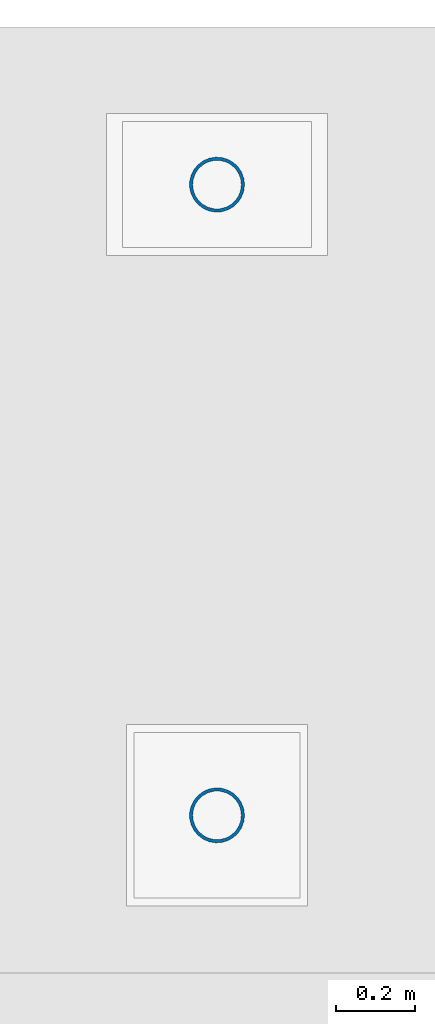
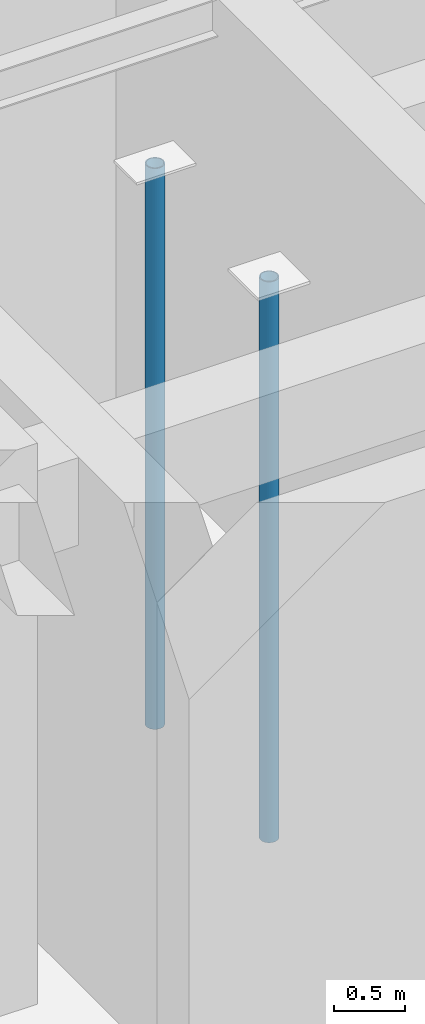
# One storey, part 14 of 49: 2 columns.
"""IFC4 building model written with IfcOpenShell, lengths in metres."""

from ifc_helpers import new_model, si_unit, direction, frame, origin, origin_2d, place, context, subcontext, project, spatial, hollow_circle, extrude, material, material_profile, profile_set, type_object, element, save


model = new_model("IFC4")

# Units and contexts
model_context = context("Model", 3, precision=1e-05, world=origin(), true_north=direction((0.0, 1.0)))
body_context = subcontext(model_context, "Body", "Model", "MODEL_VIEW")
ifc_project = project(units=[si_unit("LENGTHUNIT", "METRE"), si_unit("AREAUNIT", "SQUARE_METRE"), si_unit("VOLUMEUNIT", "CUBIC_METRE"), si_unit("PLANEANGLEUNIT", "RADIAN"), si_unit("MASSUNIT", "GRAM", prefix="KILO")], contexts=[model_context])

# Site, building, storey
site_placement = place(None, origin())
site = spatial("IfcSite", under=ifc_project, at=site_placement, CompositionType="ELEMENT")
building_placement = place(site_placement, origin())
building = spatial("IfcBuilding", under=site, at=building_placement, Name="Krzemoval Escarpment Law Courts", CompositionType="ELEMENT")
storey_placement = place(building_placement, frame((0.0, 0.0, -4.800048828125)))
storey = spatial("IfcBuildingStorey", under=building, at=storey_placement, Name="B1", CompositionType="ELEMENT", Elevation=-4.800048828125)

# Columns
ifc_material = material(Name="Steel S355", Category="steel")
ifc_material_profile = material_profile(ifc_material, hollow_circle(Radius=0.06982421875, WallThickness=0.008056640625, at=origin_2d()), Name="CHS 139.7x8")
ifc_profile_set = profile_set([ifc_material_profile], Name="Steel S355")
column_type = type_object("IfcColumnType", Name="COL-S355-CHS140", PredefinedType="COLUMN", material=ifc_profile_set)
for number, where, z_axis, x_axis, name in (
    (1, (27.949951171875, 41.429931640625, 0.0), (0.0, 0.0, 1.0), (1.0, 0.0, 0.0), "Stair Well Post SCP-C5-B1-1"),
    (2, (27.949951171875, 43.030029296875, 0.0), (0.0, 0.0, 1.0), (1.0, 0.0, 0.0), "Stair Well Post SCP-C5-B1-2"),
):
    element("IfcColumn", number, at=place(storey_placement, frame(where, z_axis=z_axis, x_axis=x_axis)), inside=storey, type_object=column_type, Name=name, PredefinedType="COLUMN", context=body_context, shape_type="SweptSolid", body=[
        extrude(hollow_circle(Radius=0.06982421875, WallThickness=0.008056640625, at=origin_2d()), origin(), (0.0, 0.0, 1.0), 4.800048828125),
    ])

save(model, "model.ifc")
